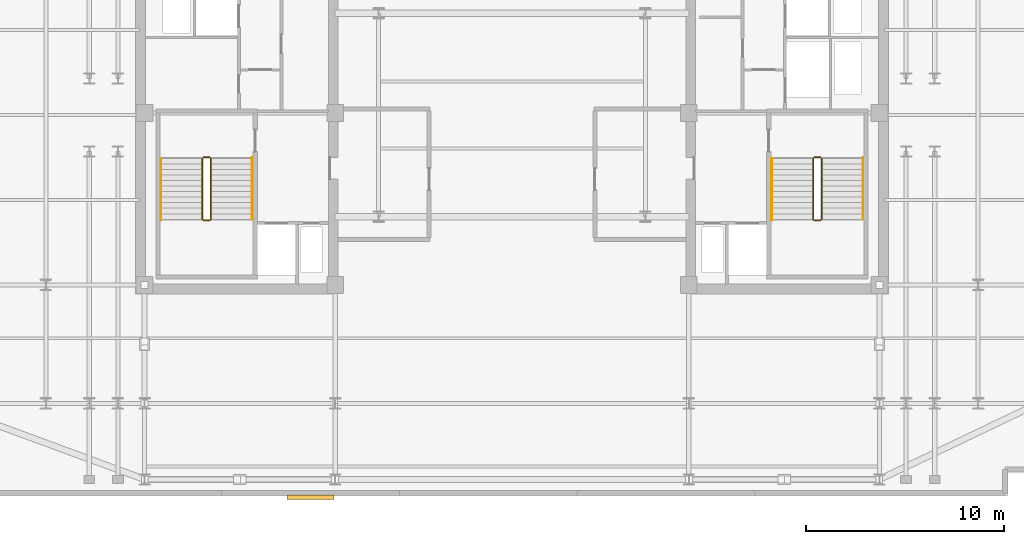
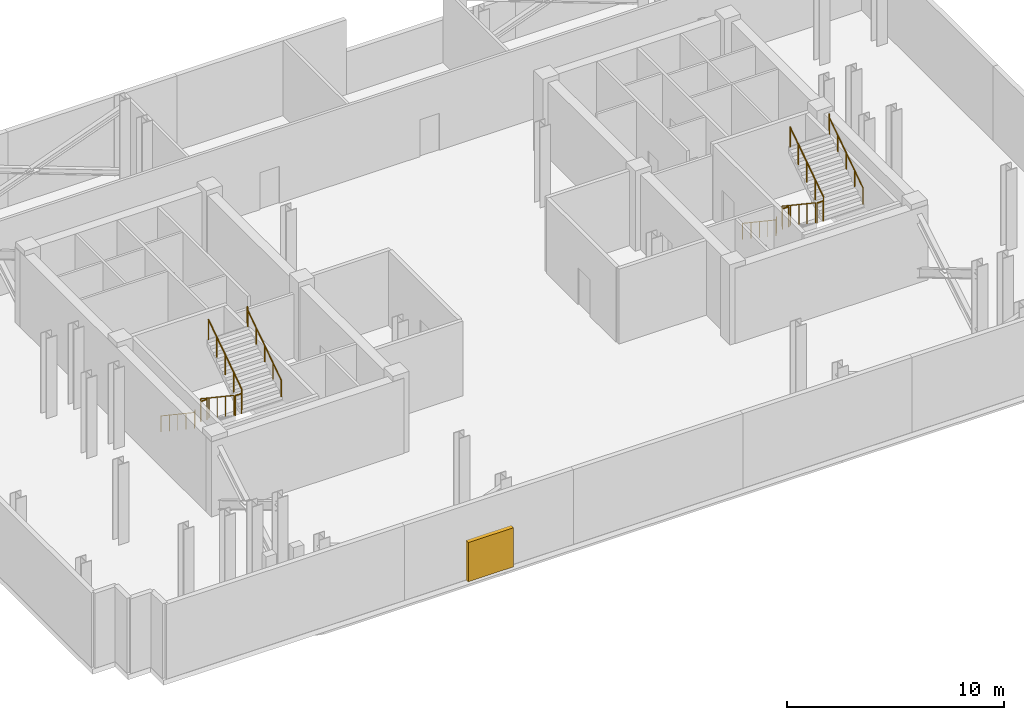
# One storey, part 7 of 8: 12 railings, 1 shading device.
"""IFC4 building model written with IfcOpenShell, lengths in metres."""

from ifc_helpers import new_model, si_unit, direction, frame, origin, origin_2d, place, context, subcontext, project, spatial, rectangle, circle, extrude, material, type_object, element, save


model = new_model("IFC4")

# Units and contexts
model_context = context("Model", 3, precision=1e-05, world=origin(), true_north=direction((0.0, 1.0)))
body_context = subcontext(model_context, "Body", "Model", "MODEL_VIEW")
ifc_project = project(units=[si_unit("LENGTHUNIT", "METRE"), si_unit("AREAUNIT", "SQUARE_METRE"), si_unit("VOLUMEUNIT", "CUBIC_METRE"), si_unit("PLANEANGLEUNIT", "RADIAN"), si_unit("MASSUNIT", "GRAM", prefix="KILO")], contexts=[model_context])

# Site, building, storey
site_placement = place(None, origin())
site = spatial("IfcSite", under=ifc_project, at=site_placement, CompositionType="ELEMENT")
building_placement = place(site_placement, origin())
building = spatial("IfcBuilding", under=site, at=building_placement, Name="Velakula Bourse", CompositionType="ELEMENT")
storey_placement = place(building_placement, frame((0.0, 0.0, 243.0)))
storey = spatial("IfcBuildingStorey", under=building, at=storey_placement, Name="L66", CompositionType="ELEMENT", Elevation=243.0)

# Railings
ifc_material_1 = material(Name="Brushed grade 316 stainless steel", Category="steel")
railing_type_1 = type_object("IfcRailingType", Name="RLG-STAIR-GUARD-1150", PredefinedType="BALUSTRADE", material=ifc_material_1)
railing_1_placement = place(storey_placement, frame((-15.672119140625, -2.199951171875, 0.1875)))
element("IfcRailing", 1, at=railing_1_placement, inside=storey, type_object=railing_type_1, Name="L66 ST-W1 stair guard 1", PredefinedType="BALUSTRADE", context=body_context, shape_type="SweptSolid", body=[
    extrude(circle(Radius=0.02490234375, at=origin_2d()), frame((0.0, 0.0, 1.125), z_axis=(0.0, -0.830913701846, 0.55640131208), x_axis=(1.0, 0.0, 0.0)), (0.0, 0.0, 1.0), 3.706787109375),
    extrude(circle(Radius=0.02099609375, at=origin_2d()), origin(), (0.0, 0.0, 1.0), 1.099853515625),
    extrude(circle(Radius=0.02099609375, at=origin_2d()), frame((0.0, -0.77001953125, 0.515625)), (0.0, 0.0, 1.0), 1.099853515625),
    extrude(circle(Radius=0.02099609375, at=origin_2d()), frame((0.0, -1.5400390625, 1.03125)), (0.0, 0.0, 1.0), 1.099853515625),
    extrude(circle(Radius=0.02099609375, at=origin_2d()), frame((0.0, -2.31005859375, 1.546875)), (0.0, 0.0, 1.0), 1.099853515625),
    extrude(circle(Radius=0.02099609375, at=origin_2d()), frame((0.0, -3.080078125, 2.0625)), (0.0, 0.0, 1.0), 1.099853515625),
])
railing_2_placement = place(storey_placement, frame((-15.6220703125, -5.330078125, 2.25)))
element("IfcRailing", 2, at=railing_2_placement, inside=storey, type_object=railing_type_1, Name="L66 ST-W1 stair guard 2", PredefinedType="BALUSTRADE", context=body_context, shape_type="SweptSolid", body=[
    extrude(circle(Radius=0.02490234375, at=origin_2d()), frame((0.0, 0.0, 1.125), z_axis=(1.0, 0.0, 0.0), x_axis=(0.0, 1.0, 0.0)), (0.0, 0.0, 1.0), 0.323974609375),
    extrude(circle(Radius=0.02099609375, at=origin_2d()), origin(), (0.0, 0.0, 1.0), 1.099853515625),
    extrude(circle(Radius=0.02099609375, at=origin_2d()), frame((0.323974609375, 0.0, 0.0)), (0.0, 0.0, 1.0), 1.099853515625),
])
railing_3_placement = place(storey_placement, frame((-15.248046875, -5.280029296875, 2.4375)))
element("IfcRailing", 3, at=railing_3_placement, inside=storey, type_object=railing_type_1, Name="L66 ST-W1 stair guard 3", PredefinedType="BALUSTRADE", context=body_context, shape_type="SweptSolid", body=[
    extrude(circle(Radius=0.02490234375, at=origin_2d()), frame((0.0, 0.0, 1.125), z_axis=(0.0, 0.830913701846, 0.55640131208), x_axis=(-1.0, 0.0, 0.0)), (0.0, 0.0, 1.0), 3.706787109375),
    extrude(circle(Radius=0.02099609375, at=origin_2d()), origin(), (0.0, 0.0, 1.0), 1.099853515625),
    extrude(circle(Radius=0.02099609375, at=origin_2d()), frame((0.0, 0.77001953125, 0.515625)), (0.0, 0.0, 1.0), 1.099853515625),
    extrude(circle(Radius=0.02099609375, at=origin_2d()), frame((0.0, 1.5400390625, 1.03125)), (0.0, 0.0, 1.0), 1.099853515625),
    extrude(circle(Radius=0.02099609375, at=origin_2d()), frame((0.0, 2.31005859375, 1.546875)), (0.0, 0.0, 1.0), 1.099853515625),
    extrude(circle(Radius=0.02099609375, at=origin_2d()), frame((0.0, 3.080078125, 2.0625)), (0.0, 0.0, 1.0), 1.099853515625),
])
railing_4_placement = place(storey_placement, frame((-15.6220703125, -2.14990234375, 0.0)))
element("IfcRailing", 4, at=railing_4_placement, inside=storey, type_object=railing_type_1, Name="L66 ST-W1 stair guard 4", PredefinedType="BALUSTRADE", context=body_context, shape_type="SweptSolid", body=[
    extrude(circle(Radius=0.02490234375, at=origin_2d()), frame((0.0, 0.0, 1.125), z_axis=(1.0, 0.0, 0.0), x_axis=(0.0, 1.0, 0.0)), (0.0, 0.0, 1.0), 0.323974609375),
    extrude(circle(Radius=0.02099609375, at=origin_2d()), origin(), (0.0, 0.0, 1.0), 1.099853515625),
    extrude(circle(Radius=0.02099609375, at=origin_2d()), frame((0.323974609375, 0.0, 0.0)), (0.0, 0.0, 1.0), 1.099853515625),
])
railing_5_placement = place(storey_placement, frame((15.248046875, -2.199951171875, 0.1875)))
element("IfcRailing", 5, at=railing_5_placement, inside=storey, type_object=railing_type_1, Name="L66 ST-E1 stair guard 1", PredefinedType="BALUSTRADE", context=body_context, shape_type="SweptSolid", body=[
    extrude(circle(Radius=0.02490234375, at=origin_2d()), frame((0.0, 0.0, 1.125), z_axis=(0.0, -0.830913701846, 0.55640131208), x_axis=(1.0, 0.0, 0.0)), (0.0, 0.0, 1.0), 3.706787109375),
    extrude(circle(Radius=0.02099609375, at=origin_2d()), origin(), (0.0, 0.0, 1.0), 1.099853515625),
    extrude(circle(Radius=0.02099609375, at=origin_2d()), frame((0.0, -0.77001953125, 0.515625)), (0.0, 0.0, 1.0), 1.099853515625),
    extrude(circle(Radius=0.02099609375, at=origin_2d()), frame((0.0, -1.5400390625, 1.03125)), (0.0, 0.0, 1.0), 1.099853515625),
    extrude(circle(Radius=0.02099609375, at=origin_2d()), frame((0.0, -2.31005859375, 1.546875)), (0.0, 0.0, 1.0), 1.099853515625),
    extrude(circle(Radius=0.02099609375, at=origin_2d()), frame((0.0, -3.080078125, 2.0625)), (0.0, 0.0, 1.0), 1.099853515625),
])
railing_6_placement = place(storey_placement, frame((15.298095703125, -5.330078125, 2.25)))
element("IfcRailing", 6, at=railing_6_placement, inside=storey, type_object=railing_type_1, Name="L66 ST-E1 stair guard 2", PredefinedType="BALUSTRADE", context=body_context, shape_type="SweptSolid", body=[
    extrude(circle(Radius=0.02490234375, at=origin_2d()), frame((0.0, 0.0, 1.125), z_axis=(1.0, 0.0, 0.0), x_axis=(0.0, 1.0, 0.0)), (0.0, 0.0, 1.0), 0.323974609375),
    extrude(circle(Radius=0.02099609375, at=origin_2d()), origin(), (0.0, 0.0, 1.0), 1.099853515625),
    extrude(circle(Radius=0.02099609375, at=origin_2d()), frame((0.323974609375, 0.0, 0.0)), (0.0, 0.0, 1.0), 1.099853515625),
])
railing_7_placement = place(storey_placement, frame((15.672119140625, -5.280029296875, 2.4375)))
element("IfcRailing", 7, at=railing_7_placement, inside=storey, type_object=railing_type_1, Name="L66 ST-E1 stair guard 3", PredefinedType="BALUSTRADE", context=body_context, shape_type="SweptSolid", body=[
    extrude(circle(Radius=0.02490234375, at=origin_2d()), frame((0.0, 0.0, 1.125), z_axis=(0.0, 0.830913701846, 0.55640131208), x_axis=(-1.0, 0.0, 0.0)), (0.0, 0.0, 1.0), 3.706787109375),
    extrude(circle(Radius=0.02099609375, at=origin_2d()), origin(), (0.0, 0.0, 1.0), 1.099853515625),
    extrude(circle(Radius=0.02099609375, at=origin_2d()), frame((0.0, 0.77001953125, 0.515625)), (0.0, 0.0, 1.0), 1.099853515625),
    extrude(circle(Radius=0.02099609375, at=origin_2d()), frame((0.0, 1.5400390625, 1.03125)), (0.0, 0.0, 1.0), 1.099853515625),
    extrude(circle(Radius=0.02099609375, at=origin_2d()), frame((0.0, 2.31005859375, 1.546875)), (0.0, 0.0, 1.0), 1.099853515625),
    extrude(circle(Radius=0.02099609375, at=origin_2d()), frame((0.0, 3.080078125, 2.0625)), (0.0, 0.0, 1.0), 1.099853515625),
])
railing_8_placement = place(storey_placement, frame((15.298095703125, -2.14990234375, 0.0)))
element("IfcRailing", 8, at=railing_8_placement, inside=storey, type_object=railing_type_1, Name="L66 ST-E1 stair guard 4", PredefinedType="BALUSTRADE", context=body_context, shape_type="SweptSolid", body=[
    extrude(circle(Radius=0.02490234375, at=origin_2d()), frame((0.0, 0.0, 1.125), z_axis=(1.0, 0.0, 0.0), x_axis=(0.0, 1.0, 0.0)), (0.0, 0.0, 1.0), 0.323974609375),
    extrude(circle(Radius=0.02099609375, at=origin_2d()), origin(), (0.0, 0.0, 1.0), 1.099853515625),
    extrude(circle(Radius=0.02099609375, at=origin_2d()), frame((0.323974609375, 0.0, 0.0)), (0.0, 0.0, 1.0), 1.099853515625),
])
railing_type_2 = type_object("IfcRailingType", Name="RLG-STAIR-HAND-920", PredefinedType="HANDRAIL", material=ifc_material_1)
railing_9_placement = place(storey_placement, frame((-17.77001953125, -2.199951171875, 0.1875)))
element("IfcRailing", 9, at=railing_9_placement, inside=storey, type_object=railing_type_2, Name="L66 ST-W1 stair handrail 1", PredefinedType="HANDRAIL", context=body_context, shape_type="SweptSolid", body=[
    extrude(circle(Radius=0.02099609375, at=origin_2d()), frame((0.0, 0.0, 0.89892578125), z_axis=(0.0, -0.830913701846, 0.55640131208), x_axis=(1.0, 0.0, 0.0)), (0.0, 0.0, 1.0), 3.706787109375),
    extrude(circle(Radius=0.02099609375, at=origin_2d()), frame((0.0, -3.080078125, 2.96142578125), z_axis=(0.0, -0.208833338674, 0.97795124452), x_axis=(1.0, 0.0, 0.0)), (0.0, 0.0, 1.0), 0.191650390625),
    extrude(circle(Radius=0.02099609375, at=origin_2d()), frame((0.0, -3.1201171875, 3.14892578125), z_axis=(0.0, -1.0, 0.0), x_axis=(1.0, 0.0, 0.0)), (0.0, 0.0, 1.0), 0.0048828125),
    extrude(circle(Radius=0.02099609375, at=origin_2d()), origin(), (0.0, 0.0, 1.0), 0.8779296875),
    extrude(circle(Radius=0.02099609375, at=origin_2d()), frame((0.0, -0.77001953125, 0.515625)), (0.0, 0.0, 1.0), 0.8779296875),
    extrude(circle(Radius=0.02099609375, at=origin_2d()), frame((0.0, -1.5400390625, 1.03125)), (0.0, 0.0, 1.0), 0.8779296875),
    extrude(circle(Radius=0.02099609375, at=origin_2d()), frame((0.0, -2.31005859375, 1.546875)), (0.0, 0.0, 1.0), 0.8779296875),
    extrude(circle(Radius=0.02099609375, at=origin_2d()), frame((0.0, -3.080078125, 2.0625)), (0.0, 0.0, 1.0), 0.8779296875),
    extrude(circle(Radius=0.02099609375, at=origin_2d()), frame((0.0, -3.1201171875, 2.25)), (0.0, 0.0, 1.0), 0.8779296875),
    extrude(circle(Radius=0.02099609375, at=origin_2d()), frame((0.0, -3.125, 2.25)), (0.0, 0.0, 1.0), 0.8779296875),
])
railing_10_placement = place(storey_placement, frame((-13.14990234375, -5.280029296875, 2.4375)))
element("IfcRailing", 10, at=railing_10_placement, inside=storey, type_object=railing_type_2, Name="L66 ST-W1 stair handrail 2", PredefinedType="HANDRAIL", context=body_context, shape_type="SweptSolid", body=[
    extrude(circle(Radius=0.02099609375, at=origin_2d()), frame((0.0, 0.0, 0.89892578125), z_axis=(0.0, 0.830913701846, 0.55640131208), x_axis=(-1.0, 0.0, 0.0)), (0.0, 0.0, 1.0), 3.706787109375),
    extrude(circle(Radius=0.02099609375, at=origin_2d()), frame((0.0, 3.080078125, 2.96142578125), z_axis=(0.0, 0.208833338674, 0.97795124452), x_axis=(-1.0, 0.0, 0.0)), (0.0, 0.0, 1.0), 0.191650390625),
    extrude(circle(Radius=0.02099609375, at=origin_2d()), frame((0.0, 3.1201171875, 3.14892578125), z_axis=(0.0, 1.0, 0.0), x_axis=(-1.0, 0.0, 0.0)), (0.0, 0.0, 1.0), 0.0048828125),
    extrude(circle(Radius=0.02099609375, at=origin_2d()), origin(), (0.0, 0.0, 1.0), 0.8779296875),
    extrude(circle(Radius=0.02099609375, at=origin_2d()), frame((0.0, 0.77001953125, 0.515625)), (0.0, 0.0, 1.0), 0.8779296875),
    extrude(circle(Radius=0.02099609375, at=origin_2d()), frame((0.0, 1.5400390625, 1.03125)), (0.0, 0.0, 1.0), 0.8779296875),
    extrude(circle(Radius=0.02099609375, at=origin_2d()), frame((0.0, 2.31005859375, 1.546875)), (0.0, 0.0, 1.0), 0.8779296875),
    extrude(circle(Radius=0.02099609375, at=origin_2d()), frame((0.0, 3.080078125, 2.0625)), (0.0, 0.0, 1.0), 0.8779296875),
    extrude(circle(Radius=0.02099609375, at=origin_2d()), frame((0.0, 3.1201171875, 2.25)), (0.0, 0.0, 1.0), 0.8779296875),
    extrude(circle(Radius=0.02099609375, at=origin_2d()), frame((0.0, 3.125, 2.25)), (0.0, 0.0, 1.0), 0.8779296875),
])
railing_11_placement = place(storey_placement, frame((13.14990234375, -2.199951171875, 0.1875)))
element("IfcRailing", 11, at=railing_11_placement, inside=storey, type_object=railing_type_2, Name="L66 ST-E1 stair handrail 1", PredefinedType="HANDRAIL", context=body_context, shape_type="SweptSolid", body=[
    extrude(circle(Radius=0.02099609375, at=origin_2d()), frame((0.0, 0.0, 0.89892578125), z_axis=(0.0, -0.830913701846, 0.55640131208), x_axis=(1.0, 0.0, 0.0)), (0.0, 0.0, 1.0), 3.706787109375),
    extrude(circle(Radius=0.02099609375, at=origin_2d()), frame((0.0, -3.080078125, 2.96142578125), z_axis=(0.0, -0.208833338674, 0.97795124452), x_axis=(1.0, 0.0, 0.0)), (0.0, 0.0, 1.0), 0.191650390625),
    extrude(circle(Radius=0.02099609375, at=origin_2d()), frame((0.0, -3.1201171875, 3.14892578125), z_axis=(0.0, -1.0, 0.0), x_axis=(1.0, 0.0, 0.0)), (0.0, 0.0, 1.0), 0.0048828125),
    extrude(circle(Radius=0.02099609375, at=origin_2d()), origin(), (0.0, 0.0, 1.0), 0.8779296875),
    extrude(circle(Radius=0.02099609375, at=origin_2d()), frame((0.0, -0.77001953125, 0.515625)), (0.0, 0.0, 1.0), 0.8779296875),
    extrude(circle(Radius=0.02099609375, at=origin_2d()), frame((0.0, -1.5400390625, 1.03125)), (0.0, 0.0, 1.0), 0.8779296875),
    extrude(circle(Radius=0.02099609375, at=origin_2d()), frame((0.0, -2.31005859375, 1.546875)), (0.0, 0.0, 1.0), 0.8779296875),
    extrude(circle(Radius=0.02099609375, at=origin_2d()), frame((0.0, -3.080078125, 2.0625)), (0.0, 0.0, 1.0), 0.8779296875),
    extrude(circle(Radius=0.02099609375, at=origin_2d()), frame((0.0, -3.1201171875, 2.25)), (0.0, 0.0, 1.0), 0.8779296875),
    extrude(circle(Radius=0.02099609375, at=origin_2d()), frame((0.0, -3.125, 2.25)), (0.0, 0.0, 1.0), 0.8779296875),
])
railing_12_placement = place(storey_placement, frame((17.77001953125, -5.280029296875, 2.4375)))
element("IfcRailing", 12, at=railing_12_placement, inside=storey, type_object=railing_type_2, Name="L66 ST-E1 stair handrail 2", PredefinedType="HANDRAIL", context=body_context, shape_type="SweptSolid", body=[
    extrude(circle(Radius=0.02099609375, at=origin_2d()), frame((0.0, 0.0, 0.89892578125), z_axis=(0.0, 0.830913701846, 0.55640131208), x_axis=(-1.0, 0.0, 0.0)), (0.0, 0.0, 1.0), 3.706787109375),
    extrude(circle(Radius=0.02099609375, at=origin_2d()), frame((0.0, 3.080078125, 2.96142578125), z_axis=(0.0, 0.208833338674, 0.97795124452), x_axis=(-1.0, 0.0, 0.0)), (0.0, 0.0, 1.0), 0.191650390625),
    extrude(circle(Radius=0.02099609375, at=origin_2d()), frame((0.0, 3.1201171875, 3.14892578125), z_axis=(0.0, 1.0, 0.0), x_axis=(-1.0, 0.0, 0.0)), (0.0, 0.0, 1.0), 0.0048828125),
    extrude(circle(Radius=0.02099609375, at=origin_2d()), origin(), (0.0, 0.0, 1.0), 0.8779296875),
    extrude(circle(Radius=0.02099609375, at=origin_2d()), frame((0.0, 0.77001953125, 0.515625)), (0.0, 0.0, 1.0), 0.8779296875),
    extrude(circle(Radius=0.02099609375, at=origin_2d()), frame((0.0, 1.5400390625, 1.03125)), (0.0, 0.0, 1.0), 0.8779296875),
    extrude(circle(Radius=0.02099609375, at=origin_2d()), frame((0.0, 2.31005859375, 1.546875)), (0.0, 0.0, 1.0), 0.8779296875),
    extrude(circle(Radius=0.02099609375, at=origin_2d()), frame((0.0, 3.080078125, 2.0625)), (0.0, 0.0, 1.0), 0.8779296875),
    extrude(circle(Radius=0.02099609375, at=origin_2d()), frame((0.0, 3.1201171875, 2.25)), (0.0, 0.0, 1.0), 0.8779296875),
    extrude(circle(Radius=0.02099609375, at=origin_2d()), frame((0.0, 3.125, 2.25)), (0.0, 0.0, 1.0), 0.8779296875),
])

# Shading device
ifc_material_2 = material(Name="Anodised bronze architectural aluminium", Category="aluminium")
shading_device_type = type_object("IfcShadingDeviceType", Name="SHD-JLS-2400", PredefinedType="JALOUSIE", material=ifc_material_2)
shading_device_placement = place(storey_placement, frame((-10.199951171875, -19.35009765625, 0.0), z_axis=(0.0, 0.0, 1.0), x_axis=(1.0, 0.0, 0.0)))
element("IfcShadingDevice", 13, at=shading_device_placement, inside=storey, type_object=shading_device_type, Name="L66 Mechanical Plant Acoustic Intake Louvre S", PredefinedType="JALOUSIE", context=body_context, shape_type="SweptSolid", body=[
    extrude(rectangle(XDim=2.39990234375, YDim=0.219970703125, at=origin_2d()), origin(), (0.0, 0.0, 1.0), 2.199951171875),
])

save(model, "model.ifc")
